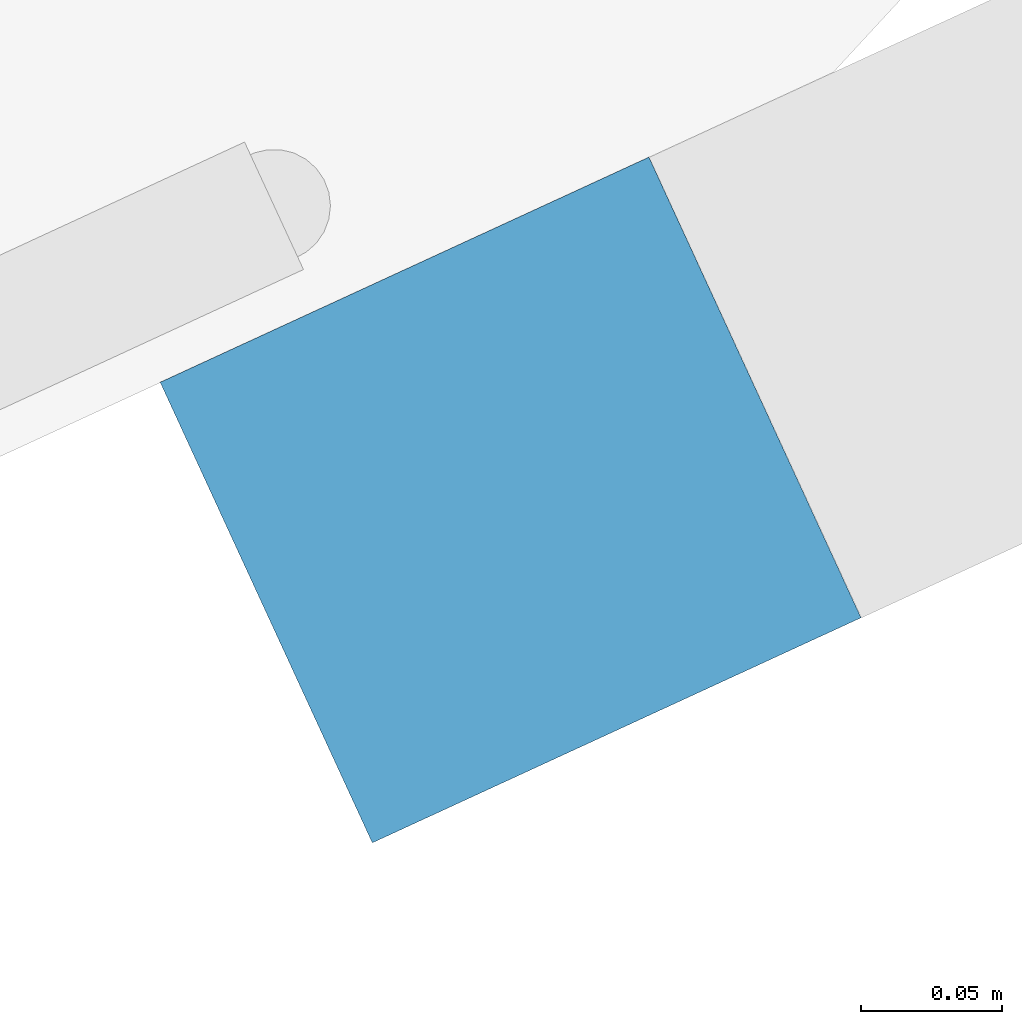
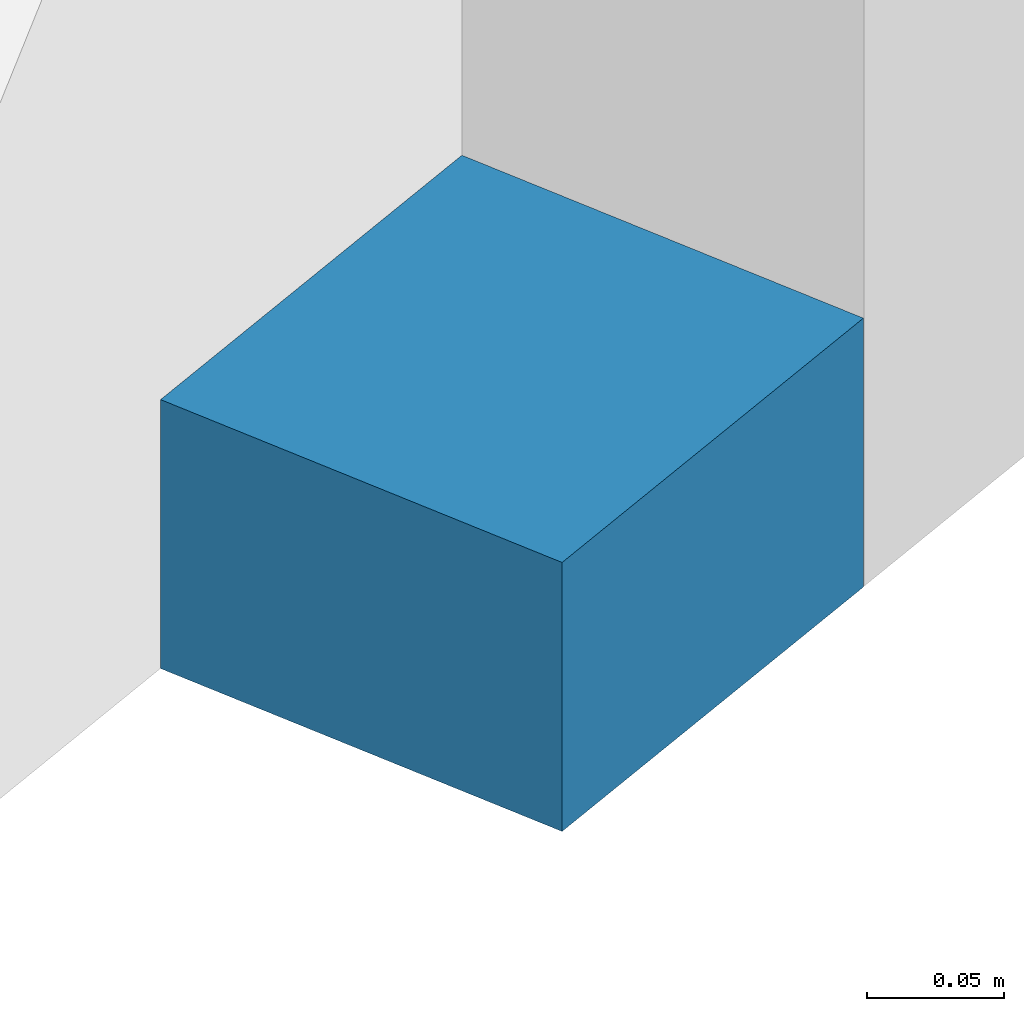
# One storey, part 14 of 23: 1 member, 1 element without a shape of its own.
"""IFC4 building model written with IfcOpenShell, lengths in metres."""

from ifc_helpers import new_model, si_unit, direction, frame, origin, origin_2d, place, context, subcontext, project, spatial, rectangle, extrude, material, material_profile, profile_set, type_object, element, aggregate, save


model = new_model("IFC4")

# Units and contexts
model_context = context("Model", 3, precision=1e-05, world=origin(), true_north=direction((0.0, 1.0)))
body_context = subcontext(model_context, "Body", "Model", "MODEL_VIEW")
ifc_project = project(units=[si_unit("LENGTHUNIT", "METRE"), si_unit("AREAUNIT", "SQUARE_METRE"), si_unit("VOLUMEUNIT", "CUBIC_METRE"), si_unit("PLANEANGLEUNIT", "RADIAN"), si_unit("MASSUNIT", "GRAM", prefix="KILO")], contexts=[model_context])

# Site, building, storey
site_placement = place(None, origin())
site = spatial("IfcSite", under=ifc_project, at=site_placement, CompositionType="ELEMENT")
building_placement = place(site_placement, origin())
building = spatial("IfcBuilding", under=site, at=building_placement, Name="Orlundy Tower", CompositionType="ELEMENT")
storey_placement = place(building_placement, frame((0.0, 0.0, 224.5)))
storey = spatial("IfcBuildingStorey", under=building, at=storey_placement, Name="L59", CompositionType="ELEMENT", Elevation=224.5)

# Curtain wall, member
ifc_material_1 = material(Name="Aluminium bronze anodised", Category="aluminium")
curtain_wall_type = type_object("IfcCurtainWallType", Name="CW1 wall", PredefinedType="NOTDEFINED", material=ifc_material_1)
curtain_wall_placement = place(storey_placement, origin())
curtain_wall = element("IfcCurtainWall", 1, at=curtain_wall_placement, inside=storey, type_object=curtain_wall_type, Name="CW1 run 015", PredefinedType="NOTDEFINED")
ifc_material_2 = material(Name="Aluminium bronze anodised", Category="aluminium")
ifc_material_profile = material_profile(ifc_material_2, rectangle(XDim=0.179931640625, YDim=0.1201171875, at=origin_2d()), Name="CW1 transom 180x120")
ifc_profile_set = profile_set([ifc_material_profile], Name="Aluminium bronze anodised")
member_type = type_object("IfcMemberType", Name="CW1 transom 180x120", PredefinedType="USERDEFINED", material=ifc_profile_set)
member_placement = place(storey_placement, frame((37.17822265625, -11.00390625, -0.360107421875), z_axis=(-0.908296074707, -0.418327910463, 0.0), x_axis=(0.418327910463, -0.908296074707, 0.0)))
member = element("IfcMember", 2, at=member_placement, type_object=member_type, Name="CW1 transom", ObjectType="TRANSOM", PredefinedType="USERDEFINED", context=body_context, shape_type="SweptSolid", body=[
    extrude(rectangle(XDim=0.179931640625, YDim=0.1201171875, at=origin_2d()), origin(), (0.0, 0.0, 1.0), 0.19091796875),
])
aggregate(curtain_wall, [member])

save(model, "model.ifc")
